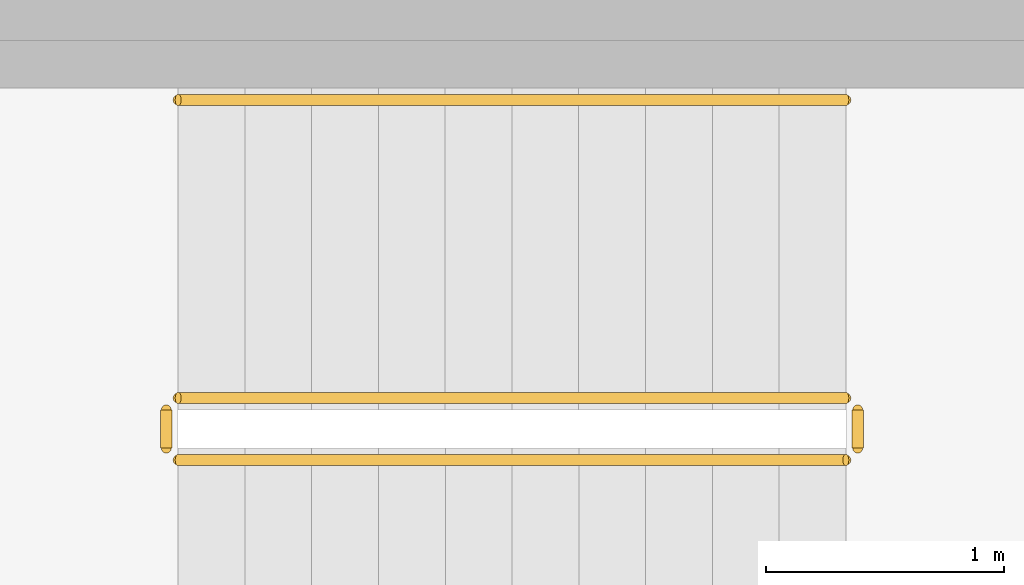
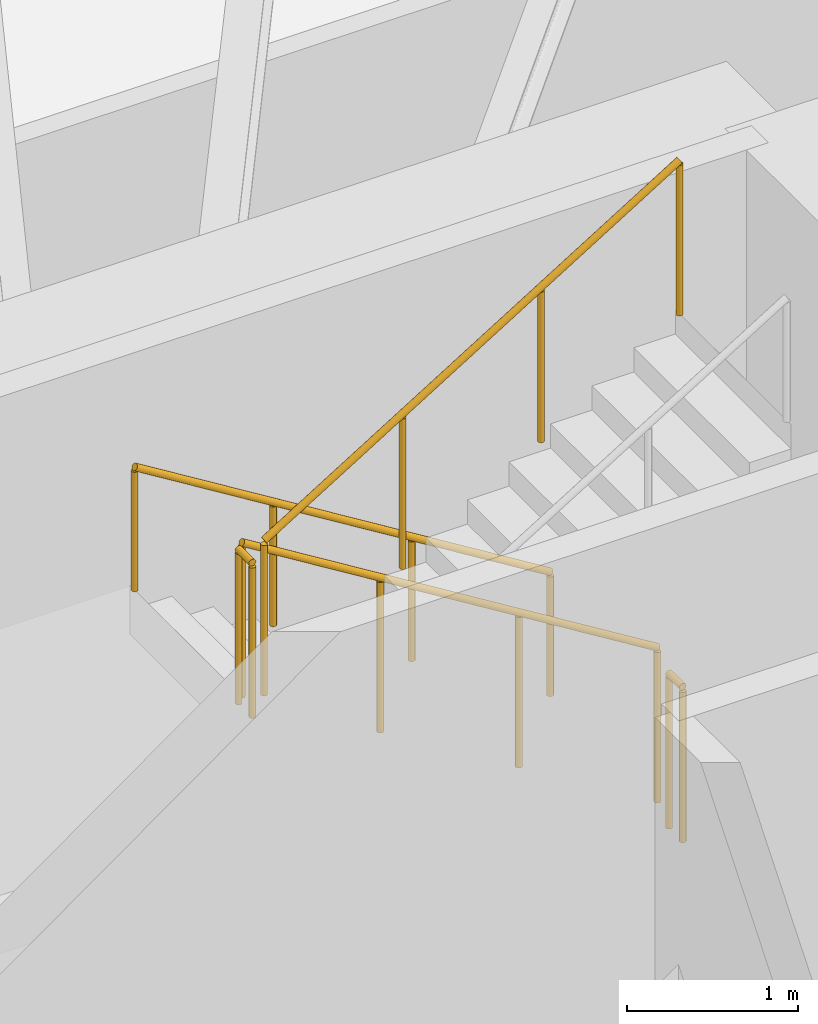
# One storey, part 38 of 39: 5 railings.
"""IFC4 building model written with IfcOpenShell, lengths in metres."""

from ifc_helpers import new_model, si_unit, direction, frame, origin, origin_2d, place, context, subcontext, project, spatial, circle, extrude, material, type_object, element, save


model = new_model("IFC4")

# Units and contexts
model_context = context("Model", 3, precision=1e-05, world=origin(), true_north=direction((0.0, 1.0)))
body_context = subcontext(model_context, "Body", "Model", "MODEL_VIEW")
ifc_project = project(units=[si_unit("LENGTHUNIT", "METRE"), si_unit("AREAUNIT", "SQUARE_METRE"), si_unit("VOLUMEUNIT", "CUBIC_METRE"), si_unit("PLANEANGLEUNIT", "RADIAN"), si_unit("MASSUNIT", "GRAM", prefix="KILO"), si_unit("THERMODYNAMICTEMPERATUREUNIT", "KELVIN")], contexts=[model_context])

# Site, building, storey
site_placement = place(None, origin())
site = spatial("IfcSite", under=ifc_project, at=site_placement, CompositionType="ELEMENT")
building_placement = place(site_placement, origin())
building = spatial("IfcBuilding", under=site, at=building_placement, Name="Kethvar Cultural Tower", CompositionType="ELEMENT")
storey_placement = place(building_placement, frame((0.0, 0.0, 33.39990234375)))
storey = spatial("IfcBuildingStorey", under=building, at=storey_placement, Name="L07", CompositionType="ELEMENT", Elevation=33.39990234375)

# Railings
ifc_material = material(Name="Steel S355J2", Category="steel")
railing_type_1 = type_object("IfcRailingType", Name="RL-STAIR-GUARD", PredefinedType="BALUSTRADE", material=ifc_material)
railing_1_placement = place(storey_placement, frame((53.89990234375, 33.7099609375, 0.1728515625)))
element("IfcRailing", 1, at=railing_1_placement, inside=storey, type_object=railing_type_1, Name="L07 ST-03 stair guard 1", PredefinedType="BALUSTRADE", context=body_context, shape_type="SweptSolid", body=[
    extrude(circle(Radius=0.02392578125, at=origin_2d()), frame((0.0, 0.0, 1.09619140625), z_axis=(-0.851069175582, 0.0, 0.525053576669), x_axis=(0.0, -1.0, 0.0)), (0.0, 0.0, 1.0), 3.289794921875),
    extrude(circle(Radius=0.02099609375, at=origin_2d()), origin(), (0.0, 0.0, 1.0), 1.072021484375),
    extrude(circle(Radius=0.02099609375, at=origin_2d()), frame((-0.933349609375, 0.0, 0.57568359375)), (0.0, 0.0, 1.0), 1.072021484375),
    extrude(circle(Radius=0.02099609375, at=origin_2d()), frame((-1.866455078125, 0.0, 1.151611328125)), (0.0, 0.0, 1.0), 1.072021484375),
    extrude(circle(Radius=0.02099609375, at=origin_2d()), frame((-2.7998046875, 0.0, 1.727294921875)), (0.0, 0.0, 1.0), 1.072021484375),
])
railing_2_placement = place(storey_placement, frame((51.050048828125, 33.659912109375, 1.900146484375)))
element("IfcRailing", 2, at=railing_2_placement, inside=storey, type_object=railing_type_1, Name="L07 ST-03 stair guard 2", PredefinedType="BALUSTRADE", context=body_context, shape_type="SweptSolid", body=[
    extrude(circle(Radius=0.02392578125, at=origin_2d()), frame((0.0, 0.0, 1.09619140625), z_axis=(0.0, -1.0, 0.0), x_axis=(1.0, 0.0, 0.0)), (0.0, 0.0, 1.0), 0.159912109375),
    extrude(circle(Radius=0.02099609375, at=origin_2d()), origin(), (0.0, 0.0, 1.0), 1.072021484375),
    extrude(circle(Radius=0.02099609375, at=origin_2d()), frame((0.0, -0.159912109375, 0.0)), (0.0, 0.0, 1.0), 1.072021484375),
])
railing_3_placement = place(storey_placement, frame((51.10009765625, 33.449951171875, 2.07275390625)))
element("IfcRailing", 3, at=railing_3_placement, inside=storey, type_object=railing_type_1, Name="L07 ST-03 stair guard 3", PredefinedType="BALUSTRADE", context=body_context, shape_type="SweptSolid", body=[
    extrude(circle(Radius=0.02392578125, at=origin_2d()), frame((0.0, 0.0, 1.09619140625), z_axis=(0.851069175582, 0.0, 0.525053576669), x_axis=(0.0, 1.0, 0.0)), (0.0, 0.0, 1.0), 3.289794921875),
    extrude(circle(Radius=0.02099609375, at=origin_2d()), origin(), (0.0, 0.0, 1.0), 1.072021484375),
    extrude(circle(Radius=0.02099609375, at=origin_2d()), frame((0.933349609375, 0.0, 0.57568359375)), (0.0, 0.0, 1.0), 1.072021484375),
    extrude(circle(Radius=0.02099609375, at=origin_2d()), frame((1.866455078125, 0.0, 1.151611328125)), (0.0, 0.0, 1.0), 1.072021484375),
    extrude(circle(Radius=0.02099609375, at=origin_2d()), frame((2.7998046875, 0.0, 1.727294921875)), (0.0, 0.0, 1.0), 1.072021484375),
])
railing_4_placement = place(storey_placement, frame((53.949951171875, 33.659912109375, 0.0)))
element("IfcRailing", 4, at=railing_4_placement, inside=storey, type_object=railing_type_1, Name="L07 ST-03 stair guard 4", PredefinedType="BALUSTRADE", context=body_context, shape_type="SweptSolid", body=[
    extrude(circle(Radius=0.02392578125, at=origin_2d()), frame((0.0, 0.0, 1.09619140625), z_axis=(0.0, -1.0, 0.0), x_axis=(1.0, 0.0, 0.0)), (0.0, 0.0, 1.0), 0.159912109375),
    extrude(circle(Radius=0.02099609375, at=origin_2d()), origin(), (0.0, 0.0, 1.0), 1.072021484375),
    extrude(circle(Radius=0.02099609375, at=origin_2d()), frame((0.0, -0.159912109375, 0.0)), (0.0, 0.0, 1.0), 1.072021484375),
])
railing_type_2 = type_object("IfcRailingType", Name="RL-STAIR-HANDRAIL", PredefinedType="HANDRAIL", material=ifc_material)
railing_5_placement = place(storey_placement, frame((53.89990234375, 34.9599609375, 0.1728515625)))
element("IfcRailing", 5, at=railing_5_placement, inside=storey, type_object=railing_type_2, Name="L07 ST-03 stair handrail 1", PredefinedType="HANDRAIL", context=body_context, shape_type="SweptSolid", body=[
    extrude(circle(Radius=0.02392578125, at=origin_2d()), frame((0.0, 0.0, 0.8759765625), z_axis=(-0.851069175582, 0.0, 0.525053576669), x_axis=(0.0, -1.0, 0.0)), (0.0, 0.0, 1.0), 3.289794921875),
    extrude(circle(Radius=0.02099609375, at=origin_2d()), origin(), (0.0, 0.0, 1.0), 0.851806640625),
    extrude(circle(Radius=0.02099609375, at=origin_2d()), frame((-0.933349609375, 0.0, 0.57568359375)), (0.0, 0.0, 1.0), 0.851806640625),
    extrude(circle(Radius=0.02099609375, at=origin_2d()), frame((-1.866455078125, 0.0, 1.151611328125)), (0.0, 0.0, 1.0), 0.851806640625),
    extrude(circle(Radius=0.02099609375, at=origin_2d()), frame((-2.7998046875, 0.0, 1.727294921875)), (0.0, 0.0, 1.0), 0.851806640625),
])

save(model, "model.ifc")
